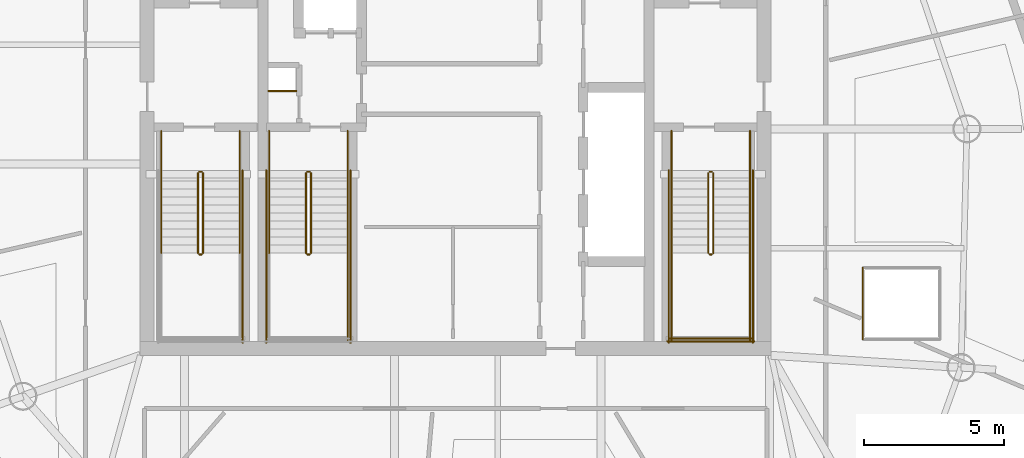
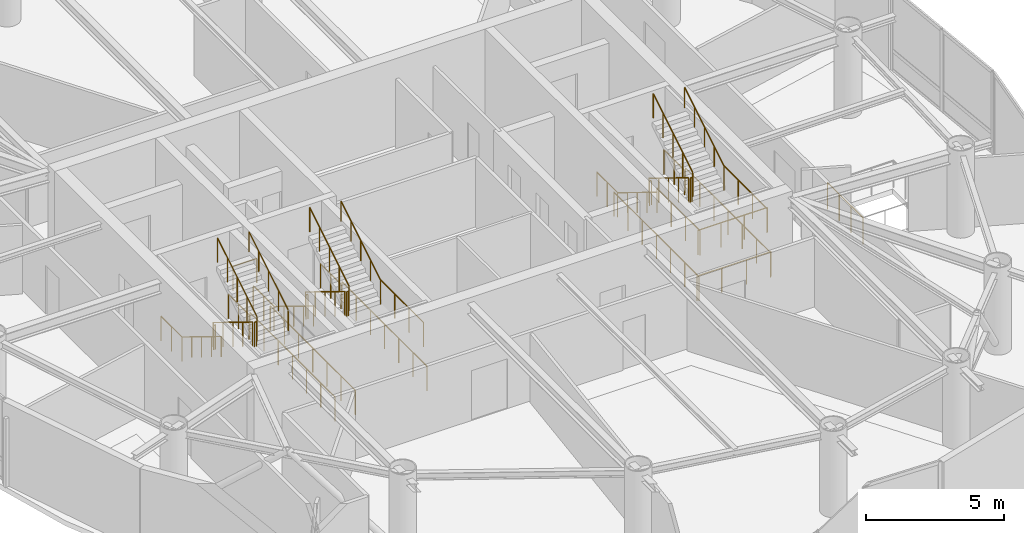
# One storey, part 19 of 20: 36 railings.
"""IFC4 building model written with IfcOpenShell, lengths in metres."""

from ifc_helpers import new_model, si_unit, direction, frame, origin, origin_2d, place, context, subcontext, project, spatial, circle, extrude, material, type_object, element, save


model = new_model("IFC4")

# Units and contexts
model_context = context("Model", 3, precision=1e-05, world=origin(), true_north=direction((0.0, 1.0)))
body_context = subcontext(model_context, "Body", "Model", "MODEL_VIEW")
ifc_project = project(units=[si_unit("LENGTHUNIT", "METRE"), si_unit("AREAUNIT", "SQUARE_METRE"), si_unit("VOLUMEUNIT", "CUBIC_METRE"), si_unit("PLANEANGLEUNIT", "RADIAN"), si_unit("MASSUNIT", "GRAM", prefix="KILO")], contexts=[model_context])

# Site, building, storey
site_placement = place(None, origin())
site = spatial("IfcSite", under=ifc_project, at=site_placement, CompositionType="ELEMENT")
building_placement = place(site_placement, origin())
building = spatial("IfcBuilding", under=site, at=building_placement, Name="Bramvorn Convention Spire", CompositionType="ELEMENT")
storey_placement = place(building_placement, frame((0.0, 0.0, 284.39990234375)))
storey = spatial("IfcBuildingStorey", under=building, at=storey_placement, Name="L72", CompositionType="ELEMENT", Elevation=284.39990234375)

# Railings
ifc_material_1 = material(Name="Warm Bronze Perforated Metal & Glass Balustrade", Category="glass")
railing_type_1 = type_object("IfcRailingType", Name="RL-POD-BALUSTRADE-1200", PredefinedType="BALUSTRADE", material=ifc_material_1)
railing_1_placement = place(storey_placement, frame((52.52001953125, 21.679931640625, 0.0)))
element("IfcRailing", 1, at=railing_1_placement, inside=storey, type_object=railing_type_1, Name="L72 Feature atrium void balustrade 4", PredefinedType="BALUSTRADE", context=body_context, shape_type="SweptSolid", body=[
    extrude(circle(Radius=0.02392578125, at=origin_2d()), frame((0.0, 0.0, 1.17578125), z_axis=(0.0, -1.0, 0.0), x_axis=(1.0, 0.0, 0.0)), (0.0, 0.0, 1.0), 2.559814453125),
    extrude(circle(Radius=0.02099609375, at=origin_2d()), origin(), (0.0, 0.0, 1.0), 1.15185546875),
    extrude(circle(Radius=0.02099609375, at=origin_2d()), frame((0.0, -0.853271484375, 0.0)), (0.0, 0.0, 1.0), 1.15185546875),
    extrude(circle(Radius=0.02099609375, at=origin_2d()), frame((0.0, -1.70654296875, 0.0)), (0.0, 0.0, 1.0), 1.15185546875),
    extrude(circle(Radius=0.02099609375, at=origin_2d()), frame((0.0, -2.559814453125, 0.0)), (0.0, 0.0, 1.0), 1.15185546875),
])
ifc_material_2 = material(Name="Painted Steel Balustrade & Guardrail", Category="steel")
railing_type_2 = type_object("IfcRailingType", Name="RL-STAIR-GUARD-1100", PredefinedType="GUARDRAIL", material=ifc_material_2)
railing_2_placement = place(storey_placement, frame((28.81005859375, 25.050048828125, 0.175048828125)))
element("IfcRailing", 2, at=railing_2_placement, inside=storey, type_object=railing_type_2, Name="L72 ST1 stair guard 1", PredefinedType="GUARDRAIL", context=body_context, shape_type="SweptSolid", body=[
    extrude(circle(Radius=0.02392578125, at=origin_2d()), frame((0.0, 0.0, 1.076171875), z_axis=(0.0, -0.852179220489, 0.52325001306), x_axis=(1.0, 0.0, 0.0)), (0.0, 0.0, 1.0), 3.344482421875),
    extrude(circle(Radius=0.02099609375, at=origin_2d()), origin(), (0.0, 0.0, 1.0), 1.052001953125),
    extrude(circle(Radius=0.02099609375, at=origin_2d()), frame((0.0, -0.71240234375, 0.4375)), (0.0, 0.0, 1.0), 1.052001953125),
    extrude(circle(Radius=0.02099609375, at=origin_2d()), frame((0.0, -1.425048828125, 0.875)), (0.0, 0.0, 1.0), 1.052001953125),
    extrude(circle(Radius=0.02099609375, at=origin_2d()), frame((0.0, -2.1376953125, 1.3125)), (0.0, 0.0, 1.0), 1.052001953125),
    extrude(circle(Radius=0.02099609375, at=origin_2d()), frame((0.0, -2.85009765625, 1.75)), (0.0, 0.0, 1.0), 1.052001953125),
])
railing_3_placement = place(storey_placement, frame((28.860107421875, 22.14990234375, 1.925048828125)))
element("IfcRailing", 3, at=railing_3_placement, inside=storey, type_object=railing_type_2, Name="L72 ST1 stair guard 2", PredefinedType="GUARDRAIL", context=body_context, shape_type="SweptSolid", body=[
    extrude(circle(Radius=0.02392578125, at=origin_2d()), frame((0.0, 0.0, 1.076171875), z_axis=(1.0, 0.0, 0.0), x_axis=(0.0, 1.0, 0.0)), (0.0, 0.0, 1.0), 0.079833984375),
    extrude(circle(Radius=0.02099609375, at=origin_2d()), origin(), (0.0, 0.0, 1.0), 1.052001953125),
    extrude(circle(Radius=0.02099609375, at=origin_2d()), frame((0.079833984375, 0.0, 0.0)), (0.0, 0.0, 1.0), 1.052001953125),
])
railing_4_placement = place(storey_placement, frame((28.989990234375, 22.199951171875, 2.10009765625)))
element("IfcRailing", 4, at=railing_4_placement, inside=storey, type_object=railing_type_2, Name="L72 ST1 stair guard 6", PredefinedType="GUARDRAIL", context=body_context, shape_type="SweptSolid", body=[
    extrude(circle(Radius=0.02392578125, at=origin_2d()), frame((0.0, 0.0, 1.076171875), z_axis=(0.0, 0.852179220489, 0.52325001306), x_axis=(-1.0, 0.0, 0.0)), (0.0, 0.0, 1.0), 3.344482421875),
    extrude(circle(Radius=0.02099609375, at=origin_2d()), origin(), (0.0, 0.0, 1.0), 1.052001953125),
    extrude(circle(Radius=0.02099609375, at=origin_2d()), frame((0.0, 0.71240234375, 0.4375)), (0.0, 0.0, 1.0), 1.052001953125),
    extrude(circle(Radius=0.02099609375, at=origin_2d()), frame((0.0, 1.425048828125, 0.875)), (0.0, 0.0, 1.0), 1.052001953125),
    extrude(circle(Radius=0.02099609375, at=origin_2d()), frame((0.0, 2.1376953125, 1.3125)), (0.0, 0.0, 1.0), 1.052001953125),
    extrude(circle(Radius=0.02099609375, at=origin_2d()), frame((0.0, 2.85009765625, 1.75)), (0.0, 0.0, 1.0), 1.052001953125),
])
railing_5_placement = place(storey_placement, frame((28.860107421875, 25.10009765625, 0.0)))
element("IfcRailing", 5, at=railing_5_placement, inside=storey, type_object=railing_type_2, Name="L72 ST1 stair guard 7", PredefinedType="GUARDRAIL", context=body_context, shape_type="SweptSolid", body=[
    extrude(circle(Radius=0.02392578125, at=origin_2d()), frame((0.0, 0.0, 1.076171875), z_axis=(1.0, 0.0, 0.0), x_axis=(0.0, 1.0, 0.0)), (0.0, 0.0, 1.0), 0.079833984375),
    extrude(circle(Radius=0.02099609375, at=origin_2d()), origin(), (0.0, 0.0, 1.0), 1.052001953125),
    extrude(circle(Radius=0.02099609375, at=origin_2d()), frame((0.079833984375, 0.0, 0.0)), (0.0, 0.0, 1.0), 1.052001953125),
])
for number, where, name in (
    (6, (27.5, 26.550048828125, 0.0), "L72 ST1 stair guard 8"),
    (7, (30.300048828125, 26.550048828125, 0.0), "L72 ST1 stair guard 9"),
):
    element("IfcRailing", number, at=place(storey_placement, frame(where)), inside=storey, type_object=railing_type_2, Name=name, PredefinedType="GUARDRAIL", context=body_context, shape_type="SweptSolid", body=[
        extrude(circle(Radius=0.02392578125, at=origin_2d()), frame((0.0, 0.0, 1.076171875), z_axis=(0.0, -1.0, 0.0), x_axis=(1.0, 0.0, 0.0)), (0.0, 0.0, 1.0), 1.5),
        extrude(circle(Radius=0.02099609375, at=origin_2d()), origin(), (0.0, 0.0, 1.0), 1.052001953125),
        extrude(circle(Radius=0.02099609375, at=origin_2d()), frame((0.0, -0.75, 0.0)), (0.0, 0.0, 1.0), 1.052001953125),
        extrude(circle(Radius=0.02099609375, at=origin_2d()), frame((0.0, -1.5, 0.0)), (0.0, 0.0, 1.0), 1.052001953125),
    ])
railing_6_placement = place(storey_placement, frame((30.39990234375, 25.14990234375, 0.0)))
element("IfcRailing", 8, at=railing_6_placement, inside=storey, type_object=railing_type_2, Name="L72 ST1 stair guard 11", PredefinedType="GUARDRAIL", context=body_context, shape_type="SweptSolid", body=[
    extrude(circle(Radius=0.02392578125, at=origin_2d()), frame((0.0, 0.0, 1.076171875), z_axis=(0.0, -1.0, 0.0), x_axis=(1.0, 0.0, 0.0)), (0.0, 0.0, 1.0), 6.14990234375),
    extrude(circle(Radius=0.02099609375, at=origin_2d()), origin(), (0.0, 0.0, 1.0), 1.052001953125),
    extrude(circle(Radius=0.02099609375, at=origin_2d()), frame((0.0, -1.02490234375, 0.0)), (0.0, 0.0, 1.0), 1.052001953125),
    extrude(circle(Radius=0.02099609375, at=origin_2d()), frame((0.0, -2.050048828125, 0.0)), (0.0, 0.0, 1.0), 1.052001953125),
    extrude(circle(Radius=0.02099609375, at=origin_2d()), frame((0.0, -3.074951171875, 0.0)), (0.0, 0.0, 1.0), 1.052001953125),
    extrude(circle(Radius=0.02099609375, at=origin_2d()), frame((0.0, -4.099853515625, 0.0)), (0.0, 0.0, 1.0), 1.052001953125),
    extrude(circle(Radius=0.02099609375, at=origin_2d()), frame((0.0, -5.125, 0.0)), (0.0, 0.0, 1.0), 1.052001953125),
    extrude(circle(Radius=0.02099609375, at=origin_2d()), frame((0.0, -6.14990234375, 0.0)), (0.0, 0.0, 1.0), 1.052001953125),
])
railing_7_placement = place(storey_placement, frame((47.010009765625, 25.050048828125, 0.175048828125)))
element("IfcRailing", 9, at=railing_7_placement, inside=storey, type_object=railing_type_2, Name="L72 ST2 stair guard 1", PredefinedType="GUARDRAIL", context=body_context, shape_type="SweptSolid", body=[
    extrude(circle(Radius=0.02392578125, at=origin_2d()), frame((0.0, 0.0, 1.076171875), z_axis=(0.0, -0.852179220489, 0.52325001306), x_axis=(1.0, 0.0, 0.0)), (0.0, 0.0, 1.0), 3.344482421875),
    extrude(circle(Radius=0.02099609375, at=origin_2d()), origin(), (0.0, 0.0, 1.0), 1.052001953125),
    extrude(circle(Radius=0.02099609375, at=origin_2d()), frame((0.0, -0.71240234375, 0.4375)), (0.0, 0.0, 1.0), 1.052001953125),
    extrude(circle(Radius=0.02099609375, at=origin_2d()), frame((0.0, -1.425048828125, 0.875)), (0.0, 0.0, 1.0), 1.052001953125),
    extrude(circle(Radius=0.02099609375, at=origin_2d()), frame((0.0, -2.1376953125, 1.3125)), (0.0, 0.0, 1.0), 1.052001953125),
    extrude(circle(Radius=0.02099609375, at=origin_2d()), frame((0.0, -2.85009765625, 1.75)), (0.0, 0.0, 1.0), 1.052001953125),
])
railing_8_placement = place(storey_placement, frame((47.06005859375, 22.14990234375, 1.925048828125)))
element("IfcRailing", 10, at=railing_8_placement, inside=storey, type_object=railing_type_2, Name="L72 ST2 stair guard 2", PredefinedType="GUARDRAIL", context=body_context, shape_type="SweptSolid", body=[
    extrude(circle(Radius=0.02392578125, at=origin_2d()), frame((0.0, 0.0, 1.076171875), z_axis=(1.0, 0.0, 0.0), x_axis=(0.0, 1.0, 0.0)), (0.0, 0.0, 1.0), 0.079833984375),
    extrude(circle(Radius=0.02099609375, at=origin_2d()), origin(), (0.0, 0.0, 1.0), 1.052001953125),
    extrude(circle(Radius=0.02099609375, at=origin_2d()), frame((0.079833984375, 0.0, 0.0)), (0.0, 0.0, 1.0), 1.052001953125),
])
for number, where, name in (
    (11, (45.699951171875, 22.199951171875, 1.925048828125), "L72 ST2 stair guard 3"),
    (12, (48.5, 22.199951171875, 1.925048828125), "L72 ST2 stair guard 4"),
):
    element("IfcRailing", number, at=place(storey_placement, frame(where)), inside=storey, type_object=railing_type_2, Name=name, PredefinedType="GUARDRAIL", context=body_context, shape_type="SweptSolid", body=[
        extrude(circle(Radius=0.02392578125, at=origin_2d()), frame((0.0, 0.0, 1.076171875), z_axis=(0.0, -1.0, 0.0), x_axis=(1.0, 0.0, 0.0)), (0.0, 0.0, 1.0), 3.099853515625),
        extrude(circle(Radius=0.02099609375, at=origin_2d()), origin(), (0.0, 0.0, 1.0), 1.052001953125),
        extrude(circle(Radius=0.02099609375, at=origin_2d()), frame((0.0, -1.033203125, 0.0)), (0.0, 0.0, 1.0), 1.052001953125),
        extrude(circle(Radius=0.02099609375, at=origin_2d()), frame((0.0, -2.066650390625, 0.0)), (0.0, 0.0, 1.0), 1.052001953125),
        extrude(circle(Radius=0.02099609375, at=origin_2d()), frame((0.0, -3.099853515625, 0.0)), (0.0, 0.0, 1.0), 1.052001953125),
    ])
railing_9_placement = place(storey_placement, frame((45.64990234375, 19.14990234375, 1.925048828125)))
element("IfcRailing", 13, at=railing_9_placement, inside=storey, type_object=railing_type_2, Name="L72 ST2 stair guard 5", PredefinedType="GUARDRAIL", context=body_context, shape_type="SweptSolid", body=[
    extrude(circle(Radius=0.02392578125, at=origin_2d()), frame((0.0, 0.0, 1.076171875), z_axis=(1.0, 0.0, 0.0), x_axis=(0.0, 1.0, 0.0)), (0.0, 0.0, 1.0), 2.900146484375),
    extrude(circle(Radius=0.02099609375, at=origin_2d()), origin(), (0.0, 0.0, 1.0), 1.052001953125),
    extrude(circle(Radius=0.02099609375, at=origin_2d()), frame((0.966796875, 0.0, 0.0)), (0.0, 0.0, 1.0), 1.052001953125),
    extrude(circle(Radius=0.02099609375, at=origin_2d()), frame((1.933349609375, 0.0, 0.0)), (0.0, 0.0, 1.0), 1.052001953125),
    extrude(circle(Radius=0.02099609375, at=origin_2d()), frame((2.900146484375, 0.0, 0.0)), (0.0, 0.0, 1.0), 1.052001953125),
])
railing_10_placement = place(storey_placement, frame((47.18994140625, 22.199951171875, 2.10009765625)))
element("IfcRailing", 14, at=railing_10_placement, inside=storey, type_object=railing_type_2, Name="L72 ST2 stair guard 6", PredefinedType="GUARDRAIL", context=body_context, shape_type="SweptSolid", body=[
    extrude(circle(Radius=0.02392578125, at=origin_2d()), frame((0.0, 0.0, 1.076171875), z_axis=(0.0, 0.852179220489, 0.52325001306), x_axis=(-1.0, 0.0, 0.0)), (0.0, 0.0, 1.0), 3.344482421875),
    extrude(circle(Radius=0.02099609375, at=origin_2d()), origin(), (0.0, 0.0, 1.0), 1.052001953125),
    extrude(circle(Radius=0.02099609375, at=origin_2d()), frame((0.0, 0.71240234375, 0.4375)), (0.0, 0.0, 1.0), 1.052001953125),
    extrude(circle(Radius=0.02099609375, at=origin_2d()), frame((0.0, 1.425048828125, 0.875)), (0.0, 0.0, 1.0), 1.052001953125),
    extrude(circle(Radius=0.02099609375, at=origin_2d()), frame((0.0, 2.1376953125, 1.3125)), (0.0, 0.0, 1.0), 1.052001953125),
    extrude(circle(Radius=0.02099609375, at=origin_2d()), frame((0.0, 2.85009765625, 1.75)), (0.0, 0.0, 1.0), 1.052001953125),
])
railing_11_placement = place(storey_placement, frame((47.06005859375, 25.10009765625, 0.0)))
element("IfcRailing", 15, at=railing_11_placement, inside=storey, type_object=railing_type_2, Name="L72 ST2 stair guard 7", PredefinedType="GUARDRAIL", context=body_context, shape_type="SweptSolid", body=[
    extrude(circle(Radius=0.02392578125, at=origin_2d()), frame((0.0, 0.0, 1.076171875), z_axis=(1.0, 0.0, 0.0), x_axis=(0.0, 1.0, 0.0)), (0.0, 0.0, 1.0), 0.079833984375),
    extrude(circle(Radius=0.02099609375, at=origin_2d()), origin(), (0.0, 0.0, 1.0), 1.052001953125),
    extrude(circle(Radius=0.02099609375, at=origin_2d()), frame((0.079833984375, 0.0, 0.0)), (0.0, 0.0, 1.0), 1.052001953125),
])
for number, where, name in (
    (16, (45.699951171875, 26.550048828125, 0.0), "L72 ST2 stair guard 8"),
    (17, (48.5, 26.550048828125, 0.0), "L72 ST2 stair guard 9"),
):
    element("IfcRailing", number, at=place(storey_placement, frame(where)), inside=storey, type_object=railing_type_2, Name=name, PredefinedType="GUARDRAIL", context=body_context, shape_type="SweptSolid", body=[
        extrude(circle(Radius=0.02392578125, at=origin_2d()), frame((0.0, 0.0, 1.076171875), z_axis=(0.0, -1.0, 0.0), x_axis=(1.0, 0.0, 0.0)), (0.0, 0.0, 1.0), 1.5),
        extrude(circle(Radius=0.02099609375, at=origin_2d()), origin(), (0.0, 0.0, 1.0), 1.052001953125),
        extrude(circle(Radius=0.02099609375, at=origin_2d()), frame((0.0, -0.75, 0.0)), (0.0, 0.0, 1.0), 1.052001953125),
        extrude(circle(Radius=0.02099609375, at=origin_2d()), frame((0.0, -1.5, 0.0)), (0.0, 0.0, 1.0), 1.052001953125),
    ])
for number, where, name in (
    (18, (45.60009765625, 25.14990234375, 0.0), "L72 ST2 stair guard 10"),
    (19, (48.60009765625, 25.14990234375, 0.0), "L72 ST2 stair guard 11"),
):
    element("IfcRailing", number, at=place(storey_placement, frame(where)), inside=storey, type_object=railing_type_2, Name=name, PredefinedType="GUARDRAIL", context=body_context, shape_type="SweptSolid", body=[
        extrude(circle(Radius=0.02392578125, at=origin_2d()), frame((0.0, 0.0, 1.076171875), z_axis=(0.0, -1.0, 0.0), x_axis=(1.0, 0.0, 0.0)), (0.0, 0.0, 1.0), 6.14990234375),
        extrude(circle(Radius=0.02099609375, at=origin_2d()), origin(), (0.0, 0.0, 1.0), 1.052001953125),
        extrude(circle(Radius=0.02099609375, at=origin_2d()), frame((0.0, -1.02490234375, 0.0)), (0.0, 0.0, 1.0), 1.052001953125),
        extrude(circle(Radius=0.02099609375, at=origin_2d()), frame((0.0, -2.050048828125, 0.0)), (0.0, 0.0, 1.0), 1.052001953125),
        extrude(circle(Radius=0.02099609375, at=origin_2d()), frame((0.0, -3.074951171875, 0.0)), (0.0, 0.0, 1.0), 1.052001953125),
        extrude(circle(Radius=0.02099609375, at=origin_2d()), frame((0.0, -4.099853515625, 0.0)), (0.0, 0.0, 1.0), 1.052001953125),
        extrude(circle(Radius=0.02099609375, at=origin_2d()), frame((0.0, -5.125, 0.0)), (0.0, 0.0, 1.0), 1.052001953125),
        extrude(circle(Radius=0.02099609375, at=origin_2d()), frame((0.0, -6.14990234375, 0.0)), (0.0, 0.0, 1.0), 1.052001953125),
    ])
railing_12_placement = place(storey_placement, frame((45.550048828125, 19.050048828125, 0.0)))
element("IfcRailing", 20, at=railing_12_placement, inside=storey, type_object=railing_type_2, Name="L72 ST2 stair guard 12", PredefinedType="GUARDRAIL", context=body_context, shape_type="SweptSolid", body=[
    extrude(circle(Radius=0.02392578125, at=origin_2d()), frame((0.0, 0.0, 1.076171875), z_axis=(1.0, 0.0, 0.0), x_axis=(0.0, 1.0, 0.0)), (0.0, 0.0, 1.0), 3.099853515625),
    extrude(circle(Radius=0.02099609375, at=origin_2d()), origin(), (0.0, 0.0, 1.0), 1.052001953125),
    extrude(circle(Radius=0.02099609375, at=origin_2d()), frame((1.033203125, 0.0, 0.0)), (0.0, 0.0, 1.0), 1.052001953125),
    extrude(circle(Radius=0.02099609375, at=origin_2d()), frame((2.066650390625, 0.0, 0.0)), (0.0, 0.0, 1.0), 1.052001953125),
    extrude(circle(Radius=0.02099609375, at=origin_2d()), frame((3.099853515625, 0.0, 0.0)), (0.0, 0.0, 1.0), 1.052001953125),
])
railing_13_placement = place(storey_placement, frame((32.659912109375, 25.050048828125, 0.175048828125)))
element("IfcRailing", 21, at=railing_13_placement, inside=storey, type_object=railing_type_2, Name="L72 ST3 stair guard 1", PredefinedType="GUARDRAIL", context=body_context, shape_type="SweptSolid", body=[
    extrude(circle(Radius=0.02392578125, at=origin_2d()), frame((0.0, 0.0, 1.076171875), z_axis=(0.0, -0.852179220489, 0.52325001306), x_axis=(1.0, 0.0, 0.0)), (0.0, 0.0, 1.0), 3.344482421875),
    extrude(circle(Radius=0.02099609375, at=origin_2d()), origin(), (0.0, 0.0, 1.0), 1.052001953125),
    extrude(circle(Radius=0.02099609375, at=origin_2d()), frame((0.0, -0.71240234375, 0.4375)), (0.0, 0.0, 1.0), 1.052001953125),
    extrude(circle(Radius=0.02099609375, at=origin_2d()), frame((0.0, -1.425048828125, 0.875)), (0.0, 0.0, 1.0), 1.052001953125),
    extrude(circle(Radius=0.02099609375, at=origin_2d()), frame((0.0, -2.1376953125, 1.3125)), (0.0, 0.0, 1.0), 1.052001953125),
    extrude(circle(Radius=0.02099609375, at=origin_2d()), frame((0.0, -2.85009765625, 1.75)), (0.0, 0.0, 1.0), 1.052001953125),
])
railing_14_placement = place(storey_placement, frame((32.7099609375, 22.14990234375, 1.925048828125)))
element("IfcRailing", 22, at=railing_14_placement, inside=storey, type_object=railing_type_2, Name="L72 ST3 stair guard 2", PredefinedType="GUARDRAIL", context=body_context, shape_type="SweptSolid", body=[
    extrude(circle(Radius=0.02392578125, at=origin_2d()), frame((0.0, 0.0, 1.076171875), z_axis=(1.0, 0.0, 0.0), x_axis=(0.0, 1.0, 0.0)), (0.0, 0.0, 1.0), 0.080078125),
    extrude(circle(Radius=0.02099609375, at=origin_2d()), origin(), (0.0, 0.0, 1.0), 1.052001953125),
    extrude(circle(Radius=0.02099609375, at=origin_2d()), frame((0.080078125, 0.0, 0.0)), (0.0, 0.0, 1.0), 1.052001953125),
])
railing_15_placement = place(storey_placement, frame((34.14990234375, 22.199951171875, 1.925048828125)))
element("IfcRailing", 23, at=railing_15_placement, inside=storey, type_object=railing_type_2, Name="L72 ST3 stair guard 4", PredefinedType="GUARDRAIL", context=body_context, shape_type="SweptSolid", body=[
    extrude(circle(Radius=0.02392578125, at=origin_2d()), frame((0.0, 0.0, 1.076171875), z_axis=(0.0, -1.0, 0.0), x_axis=(1.0, 0.0, 0.0)), (0.0, 0.0, 1.0), 3.099853515625),
    extrude(circle(Radius=0.02099609375, at=origin_2d()), origin(), (0.0, 0.0, 1.0), 1.052001953125),
    extrude(circle(Radius=0.02099609375, at=origin_2d()), frame((0.0, -1.033203125, 0.0)), (0.0, 0.0, 1.0), 1.052001953125),
    extrude(circle(Radius=0.02099609375, at=origin_2d()), frame((0.0, -2.066650390625, 0.0)), (0.0, 0.0, 1.0), 1.052001953125),
    extrude(circle(Radius=0.02099609375, at=origin_2d()), frame((0.0, -3.099853515625, 0.0)), (0.0, 0.0, 1.0), 1.052001953125),
])
railing_16_placement = place(storey_placement, frame((32.840087890625, 22.199951171875, 2.10009765625)))
element("IfcRailing", 24, at=railing_16_placement, inside=storey, type_object=railing_type_2, Name="L72 ST3 stair guard 6", PredefinedType="GUARDRAIL", context=body_context, shape_type="SweptSolid", body=[
    extrude(circle(Radius=0.02392578125, at=origin_2d()), frame((0.0, 0.0, 1.076171875), z_axis=(0.0, 0.852179220489, 0.52325001306), x_axis=(-1.0, 0.0, 0.0)), (0.0, 0.0, 1.0), 3.344482421875),
    extrude(circle(Radius=0.02099609375, at=origin_2d()), origin(), (0.0, 0.0, 1.0), 1.052001953125),
    extrude(circle(Radius=0.02099609375, at=origin_2d()), frame((0.0, 0.71240234375, 0.4375)), (0.0, 0.0, 1.0), 1.052001953125),
    extrude(circle(Radius=0.02099609375, at=origin_2d()), frame((0.0, 1.425048828125, 0.875)), (0.0, 0.0, 1.0), 1.052001953125),
    extrude(circle(Radius=0.02099609375, at=origin_2d()), frame((0.0, 2.1376953125, 1.3125)), (0.0, 0.0, 1.0), 1.052001953125),
    extrude(circle(Radius=0.02099609375, at=origin_2d()), frame((0.0, 2.85009765625, 1.75)), (0.0, 0.0, 1.0), 1.052001953125),
])
railing_17_placement = place(storey_placement, frame((32.7099609375, 25.10009765625, 0.0)))
element("IfcRailing", 25, at=railing_17_placement, inside=storey, type_object=railing_type_2, Name="L72 ST3 stair guard 7", PredefinedType="GUARDRAIL", context=body_context, shape_type="SweptSolid", body=[
    extrude(circle(Radius=0.02392578125, at=origin_2d()), frame((0.0, 0.0, 1.076171875), z_axis=(1.0, 0.0, 0.0), x_axis=(0.0, 1.0, 0.0)), (0.0, 0.0, 1.0), 0.080078125),
    extrude(circle(Radius=0.02099609375, at=origin_2d()), origin(), (0.0, 0.0, 1.0), 1.052001953125),
    extrude(circle(Radius=0.02099609375, at=origin_2d()), frame((0.080078125, 0.0, 0.0)), (0.0, 0.0, 1.0), 1.052001953125),
])
for number, where, name in (
    (26, (31.35009765625, 26.550048828125, 0.0), "L72 ST3 stair guard 8"),
    (27, (34.14990234375, 26.550048828125, 0.0), "L72 ST3 stair guard 9"),
):
    element("IfcRailing", number, at=place(storey_placement, frame(where)), inside=storey, type_object=railing_type_2, Name=name, PredefinedType="GUARDRAIL", context=body_context, shape_type="SweptSolid", body=[
        extrude(circle(Radius=0.02392578125, at=origin_2d()), frame((0.0, 0.0, 1.076171875), z_axis=(0.0, -1.0, 0.0), x_axis=(1.0, 0.0, 0.0)), (0.0, 0.0, 1.0), 1.5),
        extrude(circle(Radius=0.02099609375, at=origin_2d()), origin(), (0.0, 0.0, 1.0), 1.052001953125),
        extrude(circle(Radius=0.02099609375, at=origin_2d()), frame((0.0, -0.75, 0.0)), (0.0, 0.0, 1.0), 1.052001953125),
        extrude(circle(Radius=0.02099609375, at=origin_2d()), frame((0.0, -1.5, 0.0)), (0.0, 0.0, 1.0), 1.052001953125),
    ])
for number, where, name in (
    (28, (31.25, 25.14990234375, 0.0), "L72 ST3 stair guard 10"),
    (29, (34.25, 25.14990234375, 0.0), "L72 ST3 stair guard 11"),
):
    element("IfcRailing", number, at=place(storey_placement, frame(where)), inside=storey, type_object=railing_type_2, Name=name, PredefinedType="GUARDRAIL", context=body_context, shape_type="SweptSolid", body=[
        extrude(circle(Radius=0.02392578125, at=origin_2d()), frame((0.0, 0.0, 1.076171875), z_axis=(0.0, -1.0, 0.0), x_axis=(1.0, 0.0, 0.0)), (0.0, 0.0, 1.0), 6.14990234375),
        extrude(circle(Radius=0.02099609375, at=origin_2d()), origin(), (0.0, 0.0, 1.0), 1.052001953125),
        extrude(circle(Radius=0.02099609375, at=origin_2d()), frame((0.0, -1.02490234375, 0.0)), (0.0, 0.0, 1.0), 1.052001953125),
        extrude(circle(Radius=0.02099609375, at=origin_2d()), frame((0.0, -2.050048828125, 0.0)), (0.0, 0.0, 1.0), 1.052001953125),
        extrude(circle(Radius=0.02099609375, at=origin_2d()), frame((0.0, -3.074951171875, 0.0)), (0.0, 0.0, 1.0), 1.052001953125),
        extrude(circle(Radius=0.02099609375, at=origin_2d()), frame((0.0, -4.099853515625, 0.0)), (0.0, 0.0, 1.0), 1.052001953125),
        extrude(circle(Radius=0.02099609375, at=origin_2d()), frame((0.0, -5.125, 0.0)), (0.0, 0.0, 1.0), 1.052001953125),
        extrude(circle(Radius=0.02099609375, at=origin_2d()), frame((0.0, -6.14990234375, 0.0)), (0.0, 0.0, 1.0), 1.052001953125),
    ])
railing_18_placement = place(storey_placement, frame((31.320068359375, 27.97998046875, 0.0)))
element("IfcRailing", 30, at=railing_18_placement, inside=storey, type_object=railing_type_2, Name="L72 Telecom riser shaft opening safety guardrail", PredefinedType="GUARDRAIL", context=body_context, shape_type="SweptSolid", body=[
    extrude(circle(Radius=0.02392578125, at=origin_2d()), frame((0.0, 0.0, 1.076171875), z_axis=(1.0, 0.0, 0.0), x_axis=(0.0, 1.0, 0.0)), (0.0, 0.0, 1.0), 1.0),
    extrude(circle(Radius=0.02099609375, at=origin_2d()), origin(), (0.0, 0.0, 1.0), 1.052001953125),
    extrude(circle(Radius=0.02099609375, at=origin_2d()), frame((1.0, 0.0, 0.0)), (0.0, 0.0, 1.0), 1.052001953125),
])
ifc_material_3 = material(Name="Brushed Bronze Tubular Handrail", Category="aluminium")
railing_type_3 = type_object("IfcRailingType", Name="RL-STAIR-HR-920", PredefinedType="HANDRAIL", material=ifc_material_3)
railing_19_placement = place(storey_placement, frame((27.5, 25.050048828125, 0.175048828125)))
element("IfcRailing", 31, at=railing_19_placement, inside=storey, type_object=railing_type_3, Name="L72 ST1 stair handrail 1", PredefinedType="HANDRAIL", context=body_context, shape_type="SweptSolid", body=[
    extrude(circle(Radius=0.02392578125, at=origin_2d()), frame((0.0, 0.0, 0.89599609375), z_axis=(0.0, -0.852179220489, 0.52325001306), x_axis=(1.0, 0.0, 0.0)), (0.0, 0.0, 1.0), 3.344482421875),
    extrude(circle(Radius=0.02099609375, at=origin_2d()), origin(), (0.0, 0.0, 1.0), 0.871826171875),
    extrude(circle(Radius=0.02099609375, at=origin_2d()), frame((0.0, -0.71240234375, 0.4375)), (0.0, 0.0, 1.0), 0.871826171875),
    extrude(circle(Radius=0.02099609375, at=origin_2d()), frame((0.0, -1.425048828125, 0.875)), (0.0, 0.0, 1.0), 0.871826171875),
    extrude(circle(Radius=0.02099609375, at=origin_2d()), frame((0.0, -2.1376953125, 1.3125)), (0.0, 0.0, 1.0), 0.871826171875),
    extrude(circle(Radius=0.02099609375, at=origin_2d()), frame((0.0, -2.85009765625, 1.75)), (0.0, 0.0, 1.0), 0.871826171875),
])
railing_20_placement = place(storey_placement, frame((30.300048828125, 22.199951171875, 2.10009765625)))
element("IfcRailing", 32, at=railing_20_placement, inside=storey, type_object=railing_type_3, Name="L72 ST1 stair handrail 2", PredefinedType="HANDRAIL", context=body_context, shape_type="SweptSolid", body=[
    extrude(circle(Radius=0.02392578125, at=origin_2d()), frame((0.0, 0.0, 0.89599609375), z_axis=(0.0, 0.852179220489, 0.52325001306), x_axis=(-1.0, 0.0, 0.0)), (0.0, 0.0, 1.0), 3.344482421875),
    extrude(circle(Radius=0.02099609375, at=origin_2d()), origin(), (0.0, 0.0, 1.0), 0.871826171875),
    extrude(circle(Radius=0.02099609375, at=origin_2d()), frame((0.0, 0.71240234375, 0.4375)), (0.0, 0.0, 1.0), 0.871826171875),
    extrude(circle(Radius=0.02099609375, at=origin_2d()), frame((0.0, 1.425048828125, 0.875)), (0.0, 0.0, 1.0), 0.871826171875),
    extrude(circle(Radius=0.02099609375, at=origin_2d()), frame((0.0, 2.1376953125, 1.3125)), (0.0, 0.0, 1.0), 0.871826171875),
    extrude(circle(Radius=0.02099609375, at=origin_2d()), frame((0.0, 2.85009765625, 1.75)), (0.0, 0.0, 1.0), 0.871826171875),
])
railing_21_placement = place(storey_placement, frame((45.699951171875, 25.050048828125, 0.175048828125)))
element("IfcRailing", 33, at=railing_21_placement, inside=storey, type_object=railing_type_3, Name="L72 ST2 stair handrail 1", PredefinedType="HANDRAIL", context=body_context, shape_type="SweptSolid", body=[
    extrude(circle(Radius=0.02392578125, at=origin_2d()), frame((0.0, 0.0, 0.89599609375), z_axis=(0.0, -0.852179220489, 0.52325001306), x_axis=(1.0, 0.0, 0.0)), (0.0, 0.0, 1.0), 3.344482421875),
    extrude(circle(Radius=0.02099609375, at=origin_2d()), origin(), (0.0, 0.0, 1.0), 0.871826171875),
    extrude(circle(Radius=0.02099609375, at=origin_2d()), frame((0.0, -0.71240234375, 0.4375)), (0.0, 0.0, 1.0), 0.871826171875),
    extrude(circle(Radius=0.02099609375, at=origin_2d()), frame((0.0, -1.425048828125, 0.875)), (0.0, 0.0, 1.0), 0.871826171875),
    extrude(circle(Radius=0.02099609375, at=origin_2d()), frame((0.0, -2.1376953125, 1.3125)), (0.0, 0.0, 1.0), 0.871826171875),
    extrude(circle(Radius=0.02099609375, at=origin_2d()), frame((0.0, -2.85009765625, 1.75)), (0.0, 0.0, 1.0), 0.871826171875),
])
railing_22_placement = place(storey_placement, frame((48.5, 22.199951171875, 2.10009765625)))
element("IfcRailing", 34, at=railing_22_placement, inside=storey, type_object=railing_type_3, Name="L72 ST2 stair handrail 2", PredefinedType="HANDRAIL", context=body_context, shape_type="SweptSolid", body=[
    extrude(circle(Radius=0.02392578125, at=origin_2d()), frame((0.0, 0.0, 0.89599609375), z_axis=(0.0, 0.852179220489, 0.52325001306), x_axis=(-1.0, 0.0, 0.0)), (0.0, 0.0, 1.0), 3.344482421875),
    extrude(circle(Radius=0.02099609375, at=origin_2d()), origin(), (0.0, 0.0, 1.0), 0.871826171875),
    extrude(circle(Radius=0.02099609375, at=origin_2d()), frame((0.0, 0.71240234375, 0.4375)), (0.0, 0.0, 1.0), 0.871826171875),
    extrude(circle(Radius=0.02099609375, at=origin_2d()), frame((0.0, 1.425048828125, 0.875)), (0.0, 0.0, 1.0), 0.871826171875),
    extrude(circle(Radius=0.02099609375, at=origin_2d()), frame((0.0, 2.1376953125, 1.3125)), (0.0, 0.0, 1.0), 0.871826171875),
    extrude(circle(Radius=0.02099609375, at=origin_2d()), frame((0.0, 2.85009765625, 1.75)), (0.0, 0.0, 1.0), 0.871826171875),
])
railing_23_placement = place(storey_placement, frame((31.35009765625, 25.050048828125, 0.175048828125)))
element("IfcRailing", 35, at=railing_23_placement, inside=storey, type_object=railing_type_3, Name="L72 ST3 stair handrail 1", PredefinedType="HANDRAIL", context=body_context, shape_type="SweptSolid", body=[
    extrude(circle(Radius=0.02392578125, at=origin_2d()), frame((0.0, 0.0, 0.89599609375), z_axis=(0.0, -0.852179220489, 0.52325001306), x_axis=(1.0, 0.0, 0.0)), (0.0, 0.0, 1.0), 3.344482421875),
    extrude(circle(Radius=0.02099609375, at=origin_2d()), origin(), (0.0, 0.0, 1.0), 0.871826171875),
    extrude(circle(Radius=0.02099609375, at=origin_2d()), frame((0.0, -0.71240234375, 0.4375)), (0.0, 0.0, 1.0), 0.871826171875),
    extrude(circle(Radius=0.02099609375, at=origin_2d()), frame((0.0, -1.425048828125, 0.875)), (0.0, 0.0, 1.0), 0.871826171875),
    extrude(circle(Radius=0.02099609375, at=origin_2d()), frame((0.0, -2.1376953125, 1.3125)), (0.0, 0.0, 1.0), 0.871826171875),
    extrude(circle(Radius=0.02099609375, at=origin_2d()), frame((0.0, -2.85009765625, 1.75)), (0.0, 0.0, 1.0), 0.871826171875),
])
railing_24_placement = place(storey_placement, frame((34.14990234375, 22.199951171875, 2.10009765625)))
element("IfcRailing", 36, at=railing_24_placement, inside=storey, type_object=railing_type_3, Name="L72 ST3 stair handrail 2", PredefinedType="HANDRAIL", context=body_context, shape_type="SweptSolid", body=[
    extrude(circle(Radius=0.02392578125, at=origin_2d()), frame((0.0, 0.0, 0.89599609375), z_axis=(0.0, 0.852179220489, 0.52325001306), x_axis=(-1.0, 0.0, 0.0)), (0.0, 0.0, 1.0), 3.344482421875),
    extrude(circle(Radius=0.02099609375, at=origin_2d()), origin(), (0.0, 0.0, 1.0), 0.871826171875),
    extrude(circle(Radius=0.02099609375, at=origin_2d()), frame((0.0, 0.71240234375, 0.4375)), (0.0, 0.0, 1.0), 0.871826171875),
    extrude(circle(Radius=0.02099609375, at=origin_2d()), frame((0.0, 1.425048828125, 0.875)), (0.0, 0.0, 1.0), 0.871826171875),
    extrude(circle(Radius=0.02099609375, at=origin_2d()), frame((0.0, 2.1376953125, 1.3125)), (0.0, 0.0, 1.0), 0.871826171875),
    extrude(circle(Radius=0.02099609375, at=origin_2d()), frame((0.0, 2.85009765625, 1.75)), (0.0, 0.0, 1.0), 0.871826171875),
])

save(model, "model.ifc")
